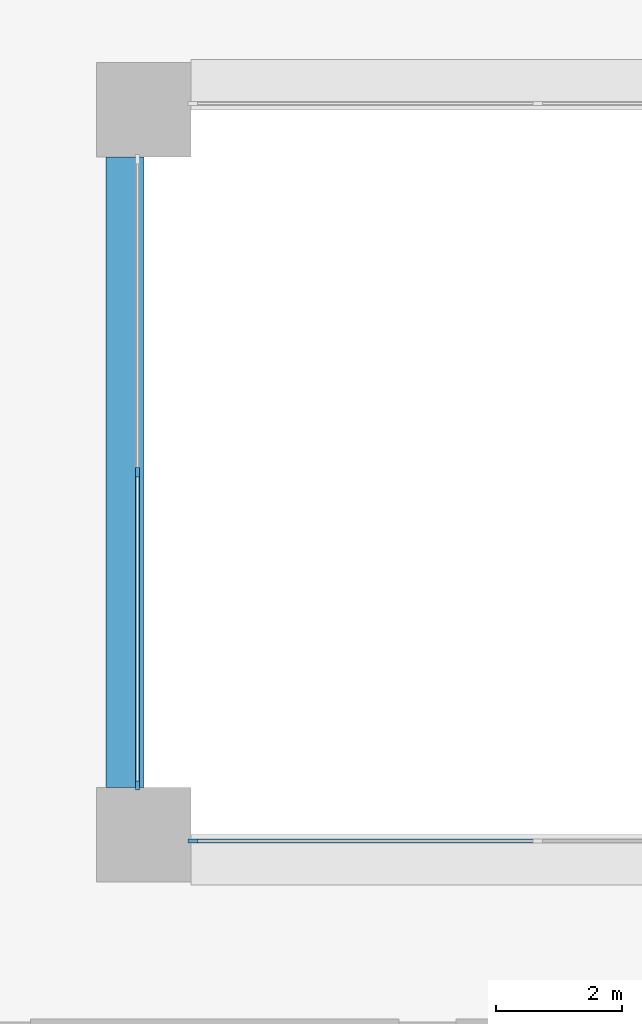
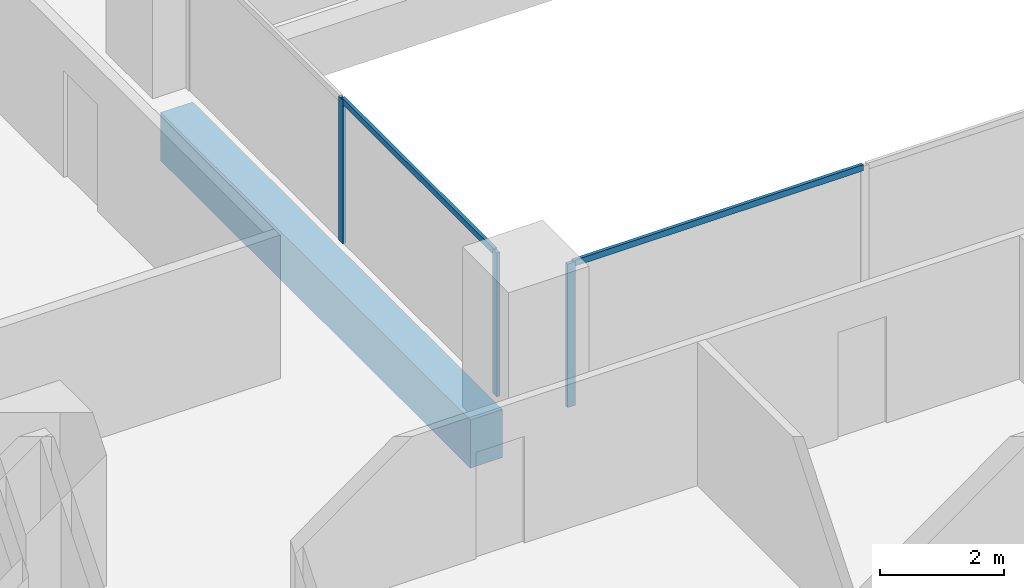
# One storey, part 2 of 19: 5 members, 1 beam, 2 elements without a shape of their own.
"""IFC4 building model written with IfcOpenShell, lengths in metres."""

import ifcopenshell
import ifcopenshell.guid

model = None  # the IFC model being written
_history = None  # IfcOwnerHistory: only IFC2X3 demands one
_inside = {}  # id of a spatial element -> (the spatial element, [elements in it])
_under = {}  # id of a project, library or spatial element -> (it, [spatial elements below it])
_declared = {}  # id of a project -> (the project, [libraries it declares])
_typed = {}  # id of a type object -> (the type object, [elements of that type])
_made_of = {}  # id of a material, layer set ... -> (it, [elements and type objects made of it])


def new_model(schema):
    """Start an empty IFC model of exactly this schema.

    Asked for "IFC4X3", IfcOpenShell would pick the latest addendum, in which some entities
    have other attributes; the version numbers below select the first issue.
    IFC2X3 requires an IfcOwnerHistory on every rooted entity: one is made here for all.
    """
    global model, _history
    if schema == "IFC4X3":
        model = ifcopenshell.file(schema_version=(4, 3, 0, 0))
    else:
        model = ifcopenshell.file(schema=schema)
    _inside.clear()
    _under.clear()
    _declared.clear()
    _typed.clear()
    _made_of.clear()
    _history = None
    if model.schema == "IFC2X3":
        org = make("IfcOrganization", Name="unknown")
        user = make(
            "IfcPersonAndOrganization",
            ThePerson=make("IfcPerson", FamilyName="unknown"),
            TheOrganization=org,
        )
        app = make(
            "IfcApplication",
            ApplicationDeveloper=org,
            Version="unknown",
            ApplicationFullName="unknown",
            ApplicationIdentifier="unknown",
        )
        _history = make(
            "IfcOwnerHistory",
            OwningUser=user,
            OwningApplication=app,
            ChangeAction="ADDED",
            CreationDate=0,
        )
    return model


def make(cls, **values):
    """One entity of the class cls with the attributes given. An attribute that is None is left unset."""
    return model.create_entity(
        cls, **{name: value for name, value in values.items() if value is not None}
    )


def rooted(cls, **values):
    """An entity with a GlobalId (a new one), such as an element, a storey or a relation."""
    return make(cls, GlobalId=ifcopenshell.guid.new(), OwnerHistory=_history, **values)


def si_unit(unit_type, name, prefix=None):
    """IfcSIUnit, for example si_unit("LENGTHUNIT", "METRE", prefix="MILLI")."""
    return make("IfcSIUnit", UnitType=unit_type, Prefix=prefix, Name=name)


def assignment(units):
    """IfcUnitAssignment: the units of a project."""
    return None if units is None else make("IfcUnitAssignment", Units=units)


def point(xyz):
    """IfcCartesianPoint."""
    return None if xyz is None else make("IfcCartesianPoint", Coordinates=xyz)


def direction(xyz):
    """IfcDirection."""
    return None if xyz is None else make("IfcDirection", DirectionRatios=xyz)


def frame(location, z_axis=None, x_axis=None):
    """IfcAxis2Placement3D, a coordinate frame: its origin and axes. An axis left out is left unset."""
    return make(
        "IfcAxis2Placement3D",
        Location=point(location),
        Axis=direction(z_axis),
        RefDirection=direction(x_axis),
    )


def frame_2d(location, x_axis=None):
    """IfcAxis2Placement2D, a coordinate frame in the plane: its origin and x axis."""
    return make(
        "IfcAxis2Placement2D", Location=point(location), RefDirection=direction(x_axis)
    )


def origin():
    """The frame at (0, 0, 0) with its axes left unset."""
    return frame((0.0, 0.0, 0.0))


def origin_2d():
    """The frame at (0, 0) in the plane with its x axis left unset."""
    return frame_2d((0.0, 0.0))


def place(relative_to, where):
    """IfcLocalPlacement: puts the frame where relative to a parent placement (None: the world)."""
    return make(
        "IfcLocalPlacement", PlacementRelTo=relative_to, RelativePlacement=where
    )


def context(
    kind, dimensions, precision=None, world=None, true_north=None, identifier=None
):
    """IfcGeometricRepresentationContext, for example the 3D "Model" context."""
    return make(
        "IfcGeometricRepresentationContext",
        ContextIdentifier=identifier,
        ContextType=kind,
        CoordinateSpaceDimension=dimensions,
        Precision=precision,
        WorldCoordinateSystem=world,
        TrueNorth=true_north,
    )


def subcontext(parent, identifier, kind, view, scale=None):
    """IfcGeometricRepresentationSubContext, for example "Body" below "Model"."""
    return make(
        "IfcGeometricRepresentationSubContext",
        ContextIdentifier=identifier,
        ContextType=kind,
        ParentContext=parent,
        TargetScale=scale,
        TargetView=view,
    )


def project(units=None, contexts=None):
    """IfcProject with its units and contexts."""
    return rooted(
        "IfcProject",
        Name="project",
        RepresentationContexts=contexts,
        UnitsInContext=assignment(units),
    )


def spatial(cls, under=None, at=None, **own):
    """A site, building, storey or space (cls), placed at a placement, below another one or the project."""
    s = rooted(cls, ObjectPlacement=at, **own)
    if under is not None:
        _under.setdefault(under.id(), (under, []))[1].append(s)
    return s


def profile(cls, at=None, kind="AREA", **sizes):
    """A parametric profile (cls). Its sizes go by their IFC names, for example OverallWidth=200.0."""
    return make(cls, ProfileType=kind, Position=at, **sizes)


def rectangle(**sizes):
    """IfcRectangleProfileDef."""
    return profile("IfcRectangleProfileDef", **sizes)


def extrude(swept, where, along, depth):
    """IfcExtrudedAreaSolid: the profile swept, set in the frame where, extruded along a direction by depth."""
    return make(
        "IfcExtrudedAreaSolid",
        SweptArea=swept,
        Position=where,
        ExtrudedDirection=direction(along),
        Depth=depth,
    )


def shape(context_of_items, identifier, shape_type, items):
    """IfcShapeRepresentation: the items that make up one representation, for example the "Body"."""
    return make(
        "IfcShapeRepresentation",
        ContextOfItems=context_of_items,
        RepresentationIdentifier=identifier,
        RepresentationType=shape_type,
        Items=items,
    )


def material(Name=None, Category=None):
    """IfcMaterial."""
    return make("IfcMaterial", Name=Name, Category=Category)


def layer(
    of_material, thickness, ventilated=None, Name=None, Category=None, Priority=None
):
    """IfcMaterialLayer: one layer of a wall or slab, of a material (None: an air gap)."""
    return make(
        "IfcMaterialLayer",
        Material=of_material,
        LayerThickness=thickness,
        IsVentilated=ventilated,
        Name=Name,
        Category=Category,
        Priority=Priority,
    )


def layer_set(layers, Name=None):
    """IfcMaterialLayerSet."""
    return make("IfcMaterialLayerSet", MaterialLayers=layers, LayerSetName=Name)


def material_profile(
    of_material, cross_section, Name=None, Category=None, Priority=None
):
    """IfcMaterialProfile: a cross section and its material."""
    return make(
        "IfcMaterialProfile",
        Name=Name,
        Material=of_material,
        Profile=cross_section,
        Priority=Priority,
        Category=Category,
    )


def profile_set(profiles, Name=None, composite=None):
    """IfcMaterialProfileSet."""
    return make(
        "IfcMaterialProfileSet",
        Name=Name,
        MaterialProfiles=profiles,
        CompositeProfile=composite,
    )


def made_of(thing, what):
    """Note that an element or type object is made of a material, layer set ...; save() writes the relation."""
    if what is not None:
        _made_of.setdefault(what.id(), (what, []))[1].append(thing)
    return thing


def type_object(cls, material=None, **own):
    """A type object (cls), such as IfcWallType, which elements share."""
    return made_of(rooted(cls, **own), material)


def element(
    cls,
    number,
    at=None,
    inside=None,
    cuts=None,
    type_object=None,
    material=None,
    context=None,
    identifier="Body",
    shape_type=None,
    held_by="IfcProductDefinitionShape",
    body=None,
    shapes=None,
    **own,
):
    """One element of the class cls, such as IfcWall. Its Tag is "e" and its number.

    at: its placement. inside: the storey or other place that contains it. cuts: it is an
    opening in that element (IfcRelVoidsElement). A single representation is given by context,
    identifier, shape_type and body (its items); several are given by shapes. held_by: the class
    of the entity that holds the representations. save() writes the other relations.
    """
    e = rooted(cls, Tag="e%d" % number, ObjectPlacement=at, **own)
    if body is not None:
        shapes = [shape(context, identifier, shape_type, body)]
    if shapes is not None:
        e.Representation = make(held_by, Representations=shapes)
    if inside is not None:
        _inside.setdefault(inside.id(), (inside, []))[1].append(e)
    if cuts is not None:
        rooted(
            "IfcRelVoidsElement", RelatingBuildingElement=cuts, RelatedOpeningElement=e
        )
    if type_object is not None:
        _typed.setdefault(type_object.id(), (type_object, []))[1].append(e)
    return made_of(e, material)


def aggregate(whole, parts):
    """IfcRelAggregates: a whole, such as a stair, and the parts it consists of."""
    return rooted("IfcRelAggregates", RelatingObject=whole, RelatedObjects=parts)


def save(model, path):
    """Write the relations noted so far, then the file.

    IfcRelAggregates (storeys below a building ...), IfcRelContainedInSpatialStructure (elements
    in a storey), IfcRelDefinesByType, IfcRelAssociatesMaterial and IfcRelDeclares: one each for
    every whole, place, type object, material and project.
    """
    for whole, parts in _under.values():
        aggregate(whole, parts)
    for where, things in _inside.values():
        rooted(
            "IfcRelContainedInSpatialStructure",
            RelatedElements=things,
            RelatingStructure=where,
        )
    for kind, things in _typed.values():
        rooted("IfcRelDefinesByType", RelatedObjects=things, RelatingType=kind)
    for what, things in _made_of.values():
        rooted("IfcRelAssociatesMaterial", RelatedObjects=things, RelatingMaterial=what)
    for by, libraries in _declared.values():
        rooted("IfcRelDeclares", RelatingContext=by, RelatedDefinitions=libraries)
    model.write(path)


model = new_model("IFC4")

# Units and contexts
model_context = context("Model", 3, precision=1e-05, world=origin(), true_north=direction((0.0, 1.0)))
body_context = subcontext(model_context, "Body", "Model", "MODEL_VIEW")
ifc_project = project(units=[si_unit("LENGTHUNIT", "METRE"), si_unit("AREAUNIT", "SQUARE_METRE"), si_unit("VOLUMEUNIT", "CUBIC_METRE"), si_unit("PLANEANGLEUNIT", "RADIAN"), si_unit("MASSUNIT", "GRAM", prefix="KILO")], contexts=[model_context])

# Site, building, storey
site_placement = place(None, origin())
site = spatial("IfcSite", under=ifc_project, at=site_placement, CompositionType="ELEMENT")
building_placement = place(site_placement, origin())
building = spatial("IfcBuilding", under=site, at=building_placement, Name="Brigalow Station Residences", CompositionType="ELEMENT")
storey_placement = place(building_placement, frame((0.0, 0.0, 35.25)))
storey = spatial("IfcBuildingStorey", under=building, at=storey_placement, Name="L09", CompositionType="ELEMENT", Elevation=35.25)

# Beam
ifc_material_1 = material(Name="Concrete C65", Category="concrete")
ifc_material_profile_1 = material_profile(ifc_material_1, rectangle(XDim=0.60009765625, YDim=0.949951171875, at=origin_2d()), Name="RC600x950")
ifc_profile_set_1 = profile_set([ifc_material_profile_1], Name="Concrete C65")
beam_type = type_object("IfcBeamType", Name="ATRIUM EDGE GIRDER 600x950 C65", PredefinedType="BEAM", material=ifc_profile_set_1)
beam_placement = place(storey_placement, frame((26.699951171875, 24.75, -0.794921875), z_axis=(0.0, 1.0, 0.0), x_axis=(-1.0, 0.0, 0.0)))
element("IfcBeam", 1, at=beam_placement, inside=storey, type_object=beam_type, Name="ATRIUM EDGE GIRDER 3 L09", PredefinedType="BEAM", context=body_context, shape_type="SweptSolid", body=[
    extrude(rectangle(XDim=0.60009765625, YDim=0.949951171875, at=origin_2d()), origin(), (0.0, 0.0, 1.0), 10.0),
])

# Curtain wall, member
ifc_material_2 = material(Name="Aluminium", Category="aluminium")
ifc_layer = layer(ifc_material_2, 0.14990234375)
ifc_layer_set = layer_set([ifc_layer], Name="ATRIUM FIRE-RATED GLAZING CURTAIN WALL")
curtain_wall_type = type_object("IfcCurtainWallType", Name="ATRIUM FIRE-RATED GLAZING CURTAIN WALL", PredefinedType="NOTDEFINED", material=ifc_layer_set)
curtain_wall_1_placement = place(storey_placement, origin())
curtain_wall_1 = element("IfcCurtainWall", 2, at=curtain_wall_1_placement, inside=storey, type_object=curtain_wall_type, Name="L09/cw/atrium-S", PredefinedType="NOTDEFINED")
ifc_material_3 = material(Name="Aluminium", Category="aluminium")
ifc_material_profile_2 = material_profile(ifc_material_3, rectangle(XDim=0.06005859375, YDim=0.14990234375, at=origin_2d()), Name="ATRIUM FIRE-RATED GLAZING MULLION 60x150")
ifc_profile_set_2 = profile_set([ifc_material_profile_2], Name="Aluminium")
member_type_1 = type_object("IfcMemberType", Name="ATRIUM FIRE-RATED GLAZING MULLION 60x150", PredefinedType="MULLION", material=ifc_profile_set_2)
member_1_placement = place(storey_placement, frame((27.780029296875, 23.89990234375, 0.0), z_axis=(0.0, 0.0, 1.0), x_axis=(0.0, 1.0, 0.0)))
member_1 = element("IfcMember", 3, at=member_1_placement, type_object=member_type_1, Name="L09/cw/atrium-S/M00", PredefinedType="MULLION", context=body_context, shape_type="SweptSolid", body=[
    extrude(rectangle(XDim=0.06005859375, YDim=0.14990234375, at=origin_2d()), origin(), (0.0, 0.0, 1.0), 2.830078125),
])

# Curtain wall, members
curtain_wall_2_placement = place(storey_placement, origin())
curtain_wall_2 = element("IfcCurtainWall", 4, at=curtain_wall_2_placement, inside=storey, type_object=curtain_wall_type, Name="L09/cw/atrium-W", PredefinedType="NOTDEFINED")
member_2_placement = place(storey_placement, frame((26.89990234375, 29.75, 0.0), z_axis=(0.0, 0.0, 1.0), x_axis=(1.0, 0.0, 0.0)))
member_2 = element("IfcMember", 5, at=member_2_placement, type_object=member_type_1, Name="L09/cw/atrium-W/M01", PredefinedType="MULLION", context=body_context, shape_type="SweptSolid", body=[
    extrude(rectangle(XDim=0.06005859375, YDim=0.14990234375, at=origin_2d()), origin(), (0.0, 0.0, 1.0), 2.830078125),
])
member_3_placement = place(storey_placement, frame((26.89990234375, 24.780029296875, 0.0), z_axis=(0.0, 0.0, 1.0), x_axis=(1.0, 0.0, 0.0)))
member_3 = element("IfcMember", 6, at=member_3_placement, type_object=member_type_1, Name="L09/cw/atrium-W/M02", PredefinedType="MULLION", context=body_context, shape_type="SweptSolid", body=[
    extrude(rectangle(XDim=0.06005859375, YDim=0.14990234375, at=origin_2d()), origin(), (0.0, 0.0, 1.0), 2.830078125),
])

# Member
ifc_material_4 = material(Name="Aluminium", Category="aluminium")
ifc_material_profile_3 = material_profile(ifc_material_4, rectangle(XDim=0.06005859375, YDim=0.1201171875, at=origin_2d()), Name="ATRIUM FIRE-RATED GLAZING TRANSOM 60x120")
ifc_profile_set_3 = profile_set([ifc_material_profile_3], Name="Aluminium")
member_type_2 = type_object("IfcMemberType", Name="ATRIUM FIRE-RATED GLAZING TRANSOM 60x120", PredefinedType="USERDEFINED", material=ifc_profile_set_3)
member_4_placement = place(storey_placement, frame((27.81005859375, 23.89990234375, 2.800048828125), z_axis=(1.0, 0.0, 0.0), x_axis=(0.0, 1.0, 0.0)))
member_4 = element("IfcMember", 7, at=member_4_placement, type_object=member_type_2, Name="L09/cw/atrium-S/T00-00", ObjectType="TRANSOM", PredefinedType="USERDEFINED", context=body_context, shape_type="SweptSolid", body=[
    extrude(rectangle(XDim=0.06005859375, YDim=0.1201171875, at=origin_2d()), origin(), (0.0, 0.0, 1.0), 5.409912109375),
])

aggregate(curtain_wall_1, [member_1, member_4])

member_5_placement = place(storey_placement, frame((26.89990234375, 29.719970703125, 2.800048828125), z_axis=(0.0, -1.0, 0.0), x_axis=(1.0, 0.0, 0.0)))
member_5 = element("IfcMember", 8, at=member_5_placement, type_object=member_type_2, Name="L09/cw/atrium-W/T01-00", ObjectType="TRANSOM", PredefinedType="USERDEFINED", context=body_context, shape_type="SweptSolid", body=[
    extrude(rectangle(XDim=0.06005859375, YDim=0.1201171875, at=origin_2d()), origin(), (0.0, 0.0, 1.0), 4.909912109375),
])

aggregate(curtain_wall_2, [member_2, member_3, member_5])

save(model, "model.ifc")
